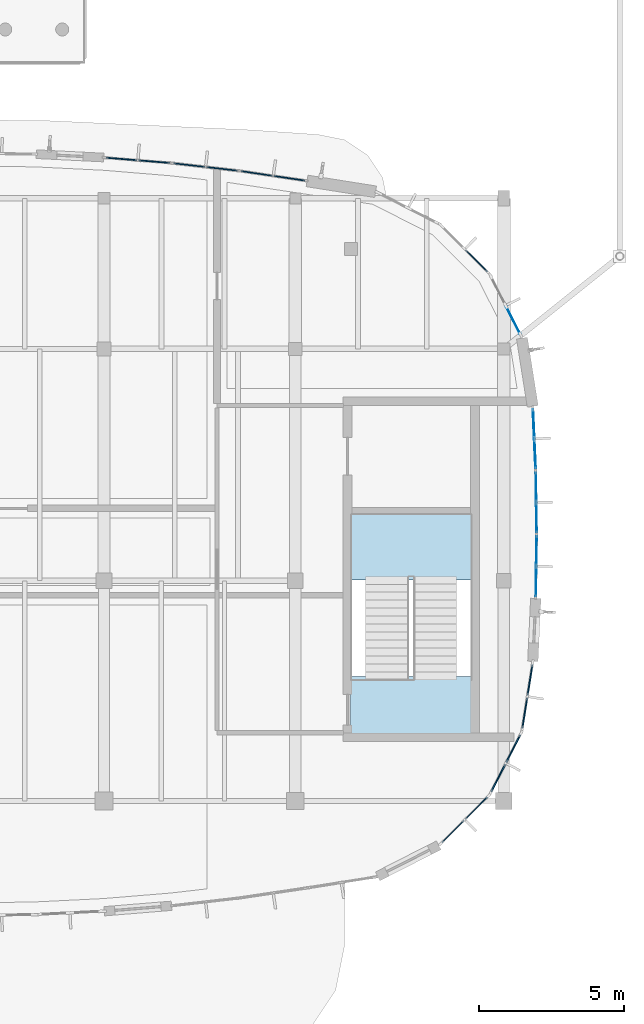
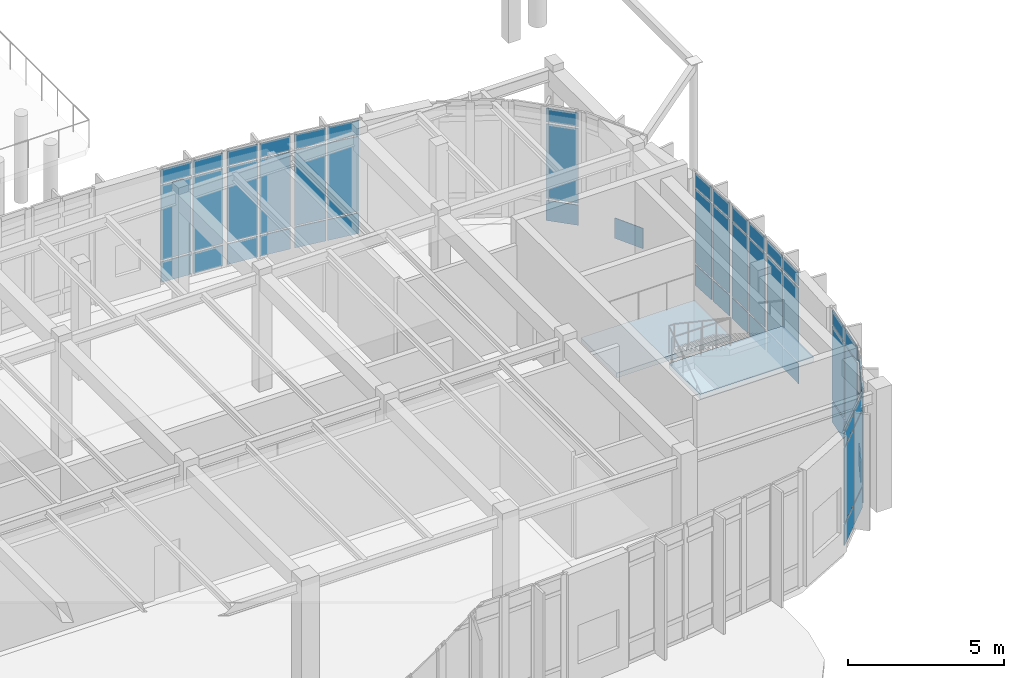
# One storey, part 72 of 120: 58 plates, 2 slabs, 12 elements without a shape of their own.
"""IFC4 building model written with IfcOpenShell, lengths in metres."""

import ifcopenshell
import ifcopenshell.guid

model = None  # the IFC model being written
_history = None  # IfcOwnerHistory: only IFC2X3 demands one
_inside = {}  # id of a spatial element -> (the spatial element, [elements in it])
_under = {}  # id of a project, library or spatial element -> (it, [spatial elements below it])
_declared = {}  # id of a project -> (the project, [libraries it declares])
_typed = {}  # id of a type object -> (the type object, [elements of that type])
_made_of = {}  # id of a material, layer set ... -> (it, [elements and type objects made of it])


def new_model(schema):
    """Start an empty IFC model of exactly this schema.

    Asked for "IFC4X3", IfcOpenShell would pick the latest addendum, in which some entities
    have other attributes; the version numbers below select the first issue.
    IFC2X3 requires an IfcOwnerHistory on every rooted entity: one is made here for all.
    """
    global model, _history
    if schema == "IFC4X3":
        model = ifcopenshell.file(schema_version=(4, 3, 0, 0))
    else:
        model = ifcopenshell.file(schema=schema)
    _inside.clear()
    _under.clear()
    _declared.clear()
    _typed.clear()
    _made_of.clear()
    _history = None
    if model.schema == "IFC2X3":
        org = make("IfcOrganization", Name="unknown")
        user = make(
            "IfcPersonAndOrganization",
            ThePerson=make("IfcPerson", FamilyName="unknown"),
            TheOrganization=org,
        )
        app = make(
            "IfcApplication",
            ApplicationDeveloper=org,
            Version="unknown",
            ApplicationFullName="unknown",
            ApplicationIdentifier="unknown",
        )
        _history = make(
            "IfcOwnerHistory",
            OwningUser=user,
            OwningApplication=app,
            ChangeAction="ADDED",
            CreationDate=0,
        )
    return model


def make(cls, **values):
    """One entity of the class cls with the attributes given. An attribute that is None is left unset."""
    return model.create_entity(
        cls, **{name: value for name, value in values.items() if value is not None}
    )


def rooted(cls, **values):
    """An entity with a GlobalId (a new one), such as an element, a storey or a relation."""
    return make(cls, GlobalId=ifcopenshell.guid.new(), OwnerHistory=_history, **values)


def si_unit(unit_type, name, prefix=None):
    """IfcSIUnit, for example si_unit("LENGTHUNIT", "METRE", prefix="MILLI")."""
    return make("IfcSIUnit", UnitType=unit_type, Prefix=prefix, Name=name)


def assignment(units):
    """IfcUnitAssignment: the units of a project."""
    return None if units is None else make("IfcUnitAssignment", Units=units)


def point(xyz):
    """IfcCartesianPoint."""
    return None if xyz is None else make("IfcCartesianPoint", Coordinates=xyz)


def direction(xyz):
    """IfcDirection."""
    return None if xyz is None else make("IfcDirection", DirectionRatios=xyz)


def frame(location, z_axis=None, x_axis=None):
    """IfcAxis2Placement3D, a coordinate frame: its origin and axes. An axis left out is left unset."""
    return make(
        "IfcAxis2Placement3D",
        Location=point(location),
        Axis=direction(z_axis),
        RefDirection=direction(x_axis),
    )


def frame_2d(location, x_axis=None):
    """IfcAxis2Placement2D, a coordinate frame in the plane: its origin and x axis."""
    return make(
        "IfcAxis2Placement2D", Location=point(location), RefDirection=direction(x_axis)
    )


def origin():
    """The frame at (0, 0, 0) with its axes left unset."""
    return frame((0.0, 0.0, 0.0))


def origin_2d():
    """The frame at (0, 0) in the plane with its x axis left unset."""
    return frame_2d((0.0, 0.0))


def place(relative_to, where):
    """IfcLocalPlacement: puts the frame where relative to a parent placement (None: the world)."""
    return make(
        "IfcLocalPlacement", PlacementRelTo=relative_to, RelativePlacement=where
    )


def context(
    kind, dimensions, precision=None, world=None, true_north=None, identifier=None
):
    """IfcGeometricRepresentationContext, for example the 3D "Model" context."""
    return make(
        "IfcGeometricRepresentationContext",
        ContextIdentifier=identifier,
        ContextType=kind,
        CoordinateSpaceDimension=dimensions,
        Precision=precision,
        WorldCoordinateSystem=world,
        TrueNorth=true_north,
    )


def subcontext(parent, identifier, kind, view, scale=None):
    """IfcGeometricRepresentationSubContext, for example "Body" below "Model"."""
    return make(
        "IfcGeometricRepresentationSubContext",
        ContextIdentifier=identifier,
        ContextType=kind,
        ParentContext=parent,
        TargetScale=scale,
        TargetView=view,
    )


def project(units=None, contexts=None):
    """IfcProject with its units and contexts."""
    return rooted(
        "IfcProject",
        Name="project",
        RepresentationContexts=contexts,
        UnitsInContext=assignment(units),
    )


def spatial(cls, under=None, at=None, **own):
    """A site, building, storey or space (cls), placed at a placement, below another one or the project."""
    s = rooted(cls, ObjectPlacement=at, **own)
    if under is not None:
        _under.setdefault(under.id(), (under, []))[1].append(s)
    return s


def polyline(points):
    """IfcPolyline through the points."""
    return make("IfcPolyline", Points=[point(p) for p in points])


def profile(cls, at=None, kind="AREA", **sizes):
    """A parametric profile (cls). Its sizes go by their IFC names, for example OverallWidth=200.0."""
    return make(cls, ProfileType=kind, Position=at, **sizes)


def rectangle(**sizes):
    """IfcRectangleProfileDef."""
    return profile("IfcRectangleProfileDef", **sizes)


def outline(outer, holes=None, kind="AREA"):
    """IfcArbitraryClosedProfileDef: a profile drawn as a closed curve; with holes, ...WithVoids."""
    if holes is None:
        return make("IfcArbitraryClosedProfileDef", ProfileType=kind, OuterCurve=outer)
    return make(
        "IfcArbitraryProfileDefWithVoids",
        ProfileType=kind,
        OuterCurve=outer,
        InnerCurves=holes,
    )


def extrude(swept, where, along, depth):
    """IfcExtrudedAreaSolid: the profile swept, set in the frame where, extruded along a direction by depth."""
    return make(
        "IfcExtrudedAreaSolid",
        SweptArea=swept,
        Position=where,
        ExtrudedDirection=direction(along),
        Depth=depth,
    )


def shape(context_of_items, identifier, shape_type, items):
    """IfcShapeRepresentation: the items that make up one representation, for example the "Body"."""
    return make(
        "IfcShapeRepresentation",
        ContextOfItems=context_of_items,
        RepresentationIdentifier=identifier,
        RepresentationType=shape_type,
        Items=items,
    )


def material(Name=None, Category=None):
    """IfcMaterial."""
    return make("IfcMaterial", Name=Name, Category=Category)


def layer(
    of_material, thickness, ventilated=None, Name=None, Category=None, Priority=None
):
    """IfcMaterialLayer: one layer of a wall or slab, of a material (None: an air gap)."""
    return make(
        "IfcMaterialLayer",
        Material=of_material,
        LayerThickness=thickness,
        IsVentilated=ventilated,
        Name=Name,
        Category=Category,
        Priority=Priority,
    )


def layer_set(layers, Name=None):
    """IfcMaterialLayerSet."""
    return make("IfcMaterialLayerSet", MaterialLayers=layers, LayerSetName=Name)


def made_of(thing, what):
    """Note that an element or type object is made of a material, layer set ...; save() writes the relation."""
    if what is not None:
        _made_of.setdefault(what.id(), (what, []))[1].append(thing)
    return thing


def type_object(cls, material=None, **own):
    """A type object (cls), such as IfcWallType, which elements share."""
    return made_of(rooted(cls, **own), material)


def element(
    cls,
    number,
    at=None,
    inside=None,
    cuts=None,
    type_object=None,
    material=None,
    context=None,
    identifier="Body",
    shape_type=None,
    held_by="IfcProductDefinitionShape",
    body=None,
    shapes=None,
    **own,
):
    """One element of the class cls, such as IfcWall. Its Tag is "e" and its number.

    at: its placement. inside: the storey or other place that contains it. cuts: it is an
    opening in that element (IfcRelVoidsElement). A single representation is given by context,
    identifier, shape_type and body (its items); several are given by shapes. held_by: the class
    of the entity that holds the representations. save() writes the other relations.
    """
    e = rooted(cls, Tag="e%d" % number, ObjectPlacement=at, **own)
    if body is not None:
        shapes = [shape(context, identifier, shape_type, body)]
    if shapes is not None:
        e.Representation = make(held_by, Representations=shapes)
    if inside is not None:
        _inside.setdefault(inside.id(), (inside, []))[1].append(e)
    if cuts is not None:
        rooted(
            "IfcRelVoidsElement", RelatingBuildingElement=cuts, RelatedOpeningElement=e
        )
    if type_object is not None:
        _typed.setdefault(type_object.id(), (type_object, []))[1].append(e)
    return made_of(e, material)


def aggregate(whole, parts):
    """IfcRelAggregates: a whole, such as a stair, and the parts it consists of."""
    return rooted("IfcRelAggregates", RelatingObject=whole, RelatedObjects=parts)


def save(model, path):
    """Write the relations noted so far, then the file.

    IfcRelAggregates (storeys below a building ...), IfcRelContainedInSpatialStructure (elements
    in a storey), IfcRelDefinesByType, IfcRelAssociatesMaterial and IfcRelDeclares: one each for
    every whole, place, type object, material and project.
    """
    for whole, parts in _under.values():
        aggregate(whole, parts)
    for where, things in _inside.values():
        rooted(
            "IfcRelContainedInSpatialStructure",
            RelatedElements=things,
            RelatingStructure=where,
        )
    for kind, things in _typed.values():
        rooted("IfcRelDefinesByType", RelatedObjects=things, RelatingType=kind)
    for what, things in _made_of.values():
        rooted("IfcRelAssociatesMaterial", RelatedObjects=things, RelatingMaterial=what)
    for by, libraries in _declared.values():
        rooted("IfcRelDeclares", RelatingContext=by, RelatedDefinitions=libraries)
    model.write(path)


model = new_model("IFC4")

# Units and contexts
model_context = context("Model", 3, precision=1e-05, world=origin(), true_north=direction((0.0, 1.0)))
body_context = subcontext(model_context, "Body", "Model", "MODEL_VIEW")
ifc_project = project(units=[si_unit("LENGTHUNIT", "METRE"), si_unit("AREAUNIT", "SQUARE_METRE"), si_unit("VOLUMEUNIT", "CUBIC_METRE"), si_unit("PLANEANGLEUNIT", "RADIAN"), si_unit("MASSUNIT", "GRAM", prefix="KILO")], contexts=[model_context])

# Site, building, storey
site_placement = place(None, origin())
site = spatial("IfcSite", under=ifc_project, at=site_placement, CompositionType="ELEMENT")
building_placement = place(site_placement, origin())
building = spatial("IfcBuilding", under=site, at=building_placement, Name="Corveleigh Park Community Centre", CompositionType="ELEMENT")
storey_placement = place(building_placement, origin())
storey = spatial("IfcBuildingStorey", under=building, at=storey_placement, Name="L00", CompositionType="ELEMENT", Elevation=0.0)

# Curtain wall, plates
ifc_material_1 = material(Name="Anodised aluminium 6063-T6", Category="aluminium")
curtain_wall_type = type_object("IfcCurtainWallType", Name="CW-SYS-V3-L00", PredefinedType="NOTDEFINED", material=ifc_material_1)
curtain_wall_1_placement = place(storey_placement, origin())
curtain_wall_1 = element("IfcCurtainWall", 1, at=curtain_wall_1_placement, inside=storey, type_object=curtain_wall_type, Name="V3 L00 Curtain Wall 85", PredefinedType="NOTDEFINED")
ifc_material_2 = material(Name="Low-E double glazing", Category="glass")
ifc_layer_1 = layer(ifc_material_2, 0.02392578125, Name="Low-E double glazing", Category="glass")
ifc_layer_set_1 = layer_set([ifc_layer_1], Name="Low-E double glazing")
plate_type_1 = type_object("IfcPlateType", Name="CWP-GLZ-24", PredefinedType="CURTAIN_PANEL", material=ifc_layer_set_1)
plate_1_placement = place(storey_placement, frame((109.12548828125, 19.830322265625, 0.080078125), z_axis=(0.0, 0.0, 1.0), x_axis=(-0.015115084786, -0.999885760581, 0.0)))
plate_1 = element("IfcPlate", 2, at=plate_1_placement, type_object=plate_type_1, Name="CW05 panel 1.1", PredefinedType="CURTAIN_PANEL", context=body_context, shape_type="SweptSolid", body=[
    extrude(rectangle(XDim=1.001708984375, YDim=0.02392578125, at=origin_2d()), origin(), (0.0, 0.0, 1.0), 0.780029296875),
])
plate_2_placement = place(storey_placement, frame((109.12548828125, 19.830322265625, 0.93994140625), z_axis=(0.0, 0.0, 1.0), x_axis=(-0.015115084786, -0.999885760581, 0.0)))
plate_2 = element("IfcPlate", 3, at=plate_2_placement, type_object=plate_type_1, Name="CW05 panel 1.2", PredefinedType="CURTAIN_PANEL", context=body_context, shape_type="SweptSolid", body=[
    extrude(rectangle(XDim=1.001708984375, YDim=0.02392578125, at=origin_2d()), origin(), (0.0, 0.0, 1.0), 2.882080078125),
])
plate_3_placement = place(storey_placement, frame((109.12548828125, 19.830322265625, 3.90185546875), z_axis=(0.0, 0.0, 1.0), x_axis=(-0.015115084786, -0.999885760581, 0.0)))
plate_3 = element("IfcPlate", 4, at=plate_3_placement, type_object=plate_type_1, Name="CW05 panel 1.3", PredefinedType="CURTAIN_PANEL", context=body_context, shape_type="SweptSolid", body=[
    extrude(rectangle(XDim=1.001708984375, YDim=0.02392578125, at=origin_2d()), origin(), (0.0, 0.0, 1.0), 0.530029296875),
])
plate_4_placement = place(storey_placement, frame((109.109375, 18.768798828125, 0.080078125), z_axis=(0.0, 0.0, 1.0), x_axis=(-0.015115084786, -0.999885760581, 0.0)))
plate_4 = element("IfcPlate", 5, at=plate_4_placement, type_object=plate_type_1, Name="CW05 panel 2.1", PredefinedType="CURTAIN_PANEL", context=body_context, shape_type="SweptSolid", body=[
    extrude(rectangle(XDim=1.001708984375, YDim=0.02392578125, at=origin_2d()), origin(), (0.0, 0.0, 1.0), 0.780029296875),
])
plate_5_placement = place(storey_placement, frame((109.109375, 18.768798828125, 0.93994140625), z_axis=(0.0, 0.0, 1.0), x_axis=(-0.015115084786, -0.999885760581, 0.0)))
plate_5 = element("IfcPlate", 6, at=plate_5_placement, type_object=plate_type_1, Name="CW05 panel 2.2", PredefinedType="CURTAIN_PANEL", context=body_context, shape_type="SweptSolid", body=[
    extrude(rectangle(XDim=1.001708984375, YDim=0.02392578125, at=origin_2d()), origin(), (0.0, 0.0, 1.0), 2.882080078125),
])
plate_6_placement = place(storey_placement, frame((109.109375, 18.768798828125, 3.90185546875), z_axis=(0.0, 0.0, 1.0), x_axis=(-0.015115084786, -0.999885760581, 0.0)))
plate_6 = element("IfcPlate", 7, at=plate_6_placement, type_object=plate_type_1, Name="CW05 panel 2.3", PredefinedType="CURTAIN_PANEL", context=body_context, shape_type="SweptSolid", body=[
    extrude(rectangle(XDim=1.001708984375, YDim=0.02392578125, at=origin_2d()), origin(), (0.0, 0.0, 1.0), 0.530029296875),
])
aggregate(curtain_wall_1, [plate_1, plate_2, plate_3, plate_4, plate_5, plate_6])

curtain_wall_2_placement = place(storey_placement, origin())
curtain_wall_2 = element("IfcCurtainWall", 8, at=curtain_wall_2_placement, inside=storey, type_object=curtain_wall_type, Name="V3 L00 Curtain Wall 86", PredefinedType="NOTDEFINED")
plate_7_placement = place(storey_placement, frame((109.109375, 22.030029296875, 0.06005859375), z_axis=(0.0, 0.0, 1.0), x_axis=(0.015115084786, -0.999885760581, 0.0)))
plate_7 = element("IfcPlate", 9, at=plate_7_placement, type_object=plate_type_1, Name="CW05 panel 1.1", PredefinedType="CURTAIN_PANEL", context=body_context, shape_type="SweptSolid", body=[
    extrude(rectangle(XDim=0.994140625, YDim=0.02392578125, at=origin_2d()), origin(), (0.0, 0.0, 1.0), 0.81005859375),
])
plate_8_placement = place(storey_placement, frame((109.109375, 22.030029296875, 0.93017578125), z_axis=(0.0, 0.0, 1.0), x_axis=(0.015115084786, -0.999885760581, 0.0)))
plate_8 = element("IfcPlate", 10, at=plate_8_placement, type_object=plate_type_1, Name="CW05 panel 1.2", PredefinedType="CURTAIN_PANEL", context=body_context, shape_type="SweptSolid", body=[
    extrude(rectangle(XDim=0.994140625, YDim=0.02392578125, at=origin_2d()), origin(), (0.0, 0.0, 1.0), 2.902099609375),
])
plate_9_placement = place(storey_placement, frame((109.109375, 22.030029296875, 3.89208984375), z_axis=(0.0, 0.0, 1.0), x_axis=(0.015115084786, -0.999885760581, 0.0)))
plate_9 = element("IfcPlate", 11, at=plate_9_placement, type_object=plate_type_1, Name="CW05 panel 1.3", PredefinedType="CURTAIN_PANEL", context=body_context, shape_type="SweptSolid", body=[
    extrude(rectangle(XDim=0.994140625, YDim=0.02392578125, at=origin_2d()), origin(), (0.0, 0.0, 1.0), 0.56005859375),
])
plate_10_placement = place(storey_placement, frame((109.12548828125, 20.970947265625, 0.06005859375), z_axis=(0.0, 0.0, 1.0), x_axis=(0.015115084786, -0.999885760581, 0.0)))
plate_10 = element("IfcPlate", 12, at=plate_10_placement, type_object=plate_type_1, Name="CW05 panel 2.1", PredefinedType="CURTAIN_PANEL", context=body_context, shape_type="SweptSolid", body=[
    extrude(rectangle(XDim=0.994140625, YDim=0.02392578125, at=origin_2d()), origin(), (0.0, 0.0, 1.0), 0.81005859375),
])
plate_11_placement = place(storey_placement, frame((109.12548828125, 20.970947265625, 0.93017578125), z_axis=(0.0, 0.0, 1.0), x_axis=(0.015115084786, -0.999885760581, 0.0)))
plate_11 = element("IfcPlate", 13, at=plate_11_placement, type_object=plate_type_1, Name="CW05 panel 2.2", PredefinedType="CURTAIN_PANEL", context=body_context, shape_type="SweptSolid", body=[
    extrude(rectangle(XDim=0.994140625, YDim=0.02392578125, at=origin_2d()), origin(), (0.0, 0.0, 1.0), 2.902099609375),
])
plate_12_placement = place(storey_placement, frame((109.12548828125, 20.970947265625, 3.89208984375), z_axis=(0.0, 0.0, 1.0), x_axis=(0.015115084786, -0.999885760581, 0.0)))
plate_12 = element("IfcPlate", 14, at=plate_12_placement, type_object=plate_type_1, Name="CW05 panel 2.3", PredefinedType="CURTAIN_PANEL", context=body_context, shape_type="SweptSolid", body=[
    extrude(rectangle(XDim=0.994140625, YDim=0.02392578125, at=origin_2d()), origin(), (0.0, 0.0, 1.0), 0.56005859375),
])
aggregate(curtain_wall_2, [plate_7, plate_8, plate_9, plate_10, plate_11, plate_12])

curtain_wall_3_placement = place(storey_placement, origin())
curtain_wall_3 = element("IfcCurtainWall", 15, at=curtain_wall_3_placement, inside=storey, type_object=curtain_wall_type, Name="V3 L00 Curtain Wall 87", PredefinedType="NOTDEFINED")
ifc_layer_2 = layer(ifc_material_2, 0.028076171875, Name="Low-E double glazing", Category="glass")
ifc_layer_set_2 = layer_set([ifc_layer_2], Name="Low-E double glazing")
plate_type_2 = type_object("IfcPlateType", Name="CWP-GLZ-28", PredefinedType="CURTAIN_PANEL", material=ifc_layer_set_2)
plate_13_placement = place(storey_placement, frame((109.02685546875, 24.22216796875, 0.06494140625), z_axis=(0.0, 0.0, 1.0), x_axis=(0.045970676011, -0.998942789627, 0.0)))
plate_13 = element("IfcPlate", 16, at=plate_13_placement, type_object=plate_type_2, Name="CW05 panel 1.1", PredefinedType="CURTAIN_PANEL", context=body_context, shape_type="SweptSolid", body=[
    extrude(rectangle(XDim=0.982666015625, YDim=0.028076171875, at=origin_2d()), origin(), (0.0, 0.0, 1.0), 0.802490234375),
])
plate_14_placement = place(storey_placement, frame((109.02685546875, 24.22216796875, 0.9326171875), z_axis=(0.0, 0.0, 1.0), x_axis=(0.045970676011, -0.998942789627, 0.0)))
plate_14 = element("IfcPlate", 17, at=plate_14_placement, type_object=plate_type_2, Name="CW05 panel 1.2", PredefinedType="CURTAIN_PANEL", context=body_context, shape_type="SweptSolid", body=[
    extrude(rectangle(XDim=0.982666015625, YDim=0.028076171875, at=origin_2d()), origin(), (0.0, 0.0, 1.0), 2.89697265625),
])
plate_15_placement = place(storey_placement, frame((109.02685546875, 24.22216796875, 3.89453125), z_axis=(0.0, 0.0, 1.0), x_axis=(0.045970676011, -0.998942789627, 0.0)))
plate_15 = element("IfcPlate", 18, at=plate_15_placement, type_object=plate_type_2, Name="CW05 panel 1.3", PredefinedType="CURTAIN_PANEL", context=body_context, shape_type="SweptSolid", body=[
    extrude(rectangle(XDim=0.982666015625, YDim=0.028076171875, at=origin_2d()), origin(), (0.0, 0.0, 1.0), 0.552490234375),
])
plate_16_placement = place(storey_placement, frame((109.0751953125, 23.170654296875, 0.06494140625), z_axis=(0.0, 0.0, 1.0), x_axis=(0.045970676011, -0.998942789627, 0.0)))
plate_16 = element("IfcPlate", 19, at=plate_16_placement, type_object=plate_type_2, Name="CW05 panel 2.1", PredefinedType="CURTAIN_PANEL", context=body_context, shape_type="SweptSolid", body=[
    extrude(rectangle(XDim=0.982666015625, YDim=0.028076171875, at=origin_2d()), origin(), (0.0, 0.0, 1.0), 0.802490234375),
])
plate_17_placement = place(storey_placement, frame((109.0751953125, 23.170654296875, 0.9326171875), z_axis=(0.0, 0.0, 1.0), x_axis=(0.045970676011, -0.998942789627, 0.0)))
plate_17 = element("IfcPlate", 20, at=plate_17_placement, type_object=plate_type_2, Name="CW05 panel 2.2", PredefinedType="CURTAIN_PANEL", context=body_context, shape_type="SweptSolid", body=[
    extrude(rectangle(XDim=0.982666015625, YDim=0.028076171875, at=origin_2d()), origin(), (0.0, 0.0, 1.0), 2.89697265625),
])
plate_18_placement = place(storey_placement, frame((109.0751953125, 23.170654296875, 3.89453125), z_axis=(0.0, 0.0, 1.0), x_axis=(0.045970676011, -0.998942789627, 0.0)))
plate_18 = element("IfcPlate", 21, at=plate_18_placement, type_object=plate_type_2, Name="CW05 panel 2.3", PredefinedType="CURTAIN_PANEL", context=body_context, shape_type="SweptSolid", body=[
    extrude(rectangle(XDim=0.982666015625, YDim=0.028076171875, at=origin_2d()), origin(), (0.0, 0.0, 1.0), 0.552490234375),
])
aggregate(curtain_wall_3, [plate_13, plate_14, plate_15, plate_16, plate_17, plate_18])

# Curtain wall, plate
curtain_wall_4_placement = place(storey_placement, origin())
curtain_wall_4 = element("IfcCurtainWall", 22, at=curtain_wall_4_placement, inside=storey, type_object=curtain_wall_type, Name="V3 L00 Curtain Wall 88", PredefinedType="NOTDEFINED")
plate_19_placement = place(storey_placement, frame((108.323974609375, 27.787353515625, 0.070068359375), z_axis=(0.0, 0.0, 1.0), x_axis=(0.45413480079, -0.890932984411, 0.0)))
plate_19 = element("IfcPlate", 23, at=plate_19_placement, type_object=plate_type_2, Name="CW05 panel 2.1", PredefinedType="CURTAIN_PANEL", context=body_context, shape_type="SweptSolid", body=[
    extrude(rectangle(XDim=1.070068359375, YDim=0.028076171875, at=origin_2d()), origin(), (0.0, 0.0, 1.0), 0.794921875),
])
aggregate(curtain_wall_4, [plate_19])

# Curtain wall, plates
curtain_wall_5_placement = place(storey_placement, origin())
curtain_wall_5 = element("IfcCurtainWall", 24, at=curtain_wall_5_placement, inside=storey, type_object=curtain_wall_type, Name="V3 L00 Curtain Wall 89", PredefinedType="NOTDEFINED")
ifc_layer_3 = layer(ifc_material_2, 0.031982421875, Name="Low-E double glazing", Category="glass")
ifc_layer_set_3 = layer_set([ifc_layer_3], Name="Low-E double glazing")
plate_type_3 = type_object("IfcPlateType", Name="CWP-GLZ-32", PredefinedType="CURTAIN_PANEL", material=ifc_layer_set_3)
plate_20_placement = place(storey_placement, frame((107.051025390625, 29.843994140625, 0.074951171875), z_axis=(0.0, 0.0, 1.0), x_axis=(0.707106781187, -0.707106781187, 0.0)))
plate_20 = element("IfcPlate", 25, at=plate_20_placement, type_object=plate_type_3, Name="CW05 panel 2.1", PredefinedType="CURTAIN_PANEL", context=body_context, shape_type="SweptSolid", body=[
    extrude(rectangle(XDim=1.0615234375, YDim=0.031982421875, at=origin_2d()), origin(), (0.0, 0.0, 1.0), 0.78759765625),
])
plate_21_placement = place(storey_placement, frame((107.051025390625, 29.843994140625, 0.9375), z_axis=(0.0, 0.0, 1.0), x_axis=(0.707106781187, -0.707106781187, 0.0)))
plate_21 = element("IfcPlate", 26, at=plate_21_placement, type_object=plate_type_3, Name="CW05 panel 2.2", PredefinedType="CURTAIN_PANEL", context=body_context, shape_type="SweptSolid", body=[
    extrude(rectangle(XDim=1.0615234375, YDim=0.031982421875, at=origin_2d()), origin(), (0.0, 0.0, 1.0), 2.912109375),
])
plate_22_placement = place(storey_placement, frame((107.051025390625, 29.843994140625, 3.924560546875), z_axis=(0.0, 0.0, 1.0), x_axis=(0.707106781187, -0.707106781187, 0.0)))
plate_22 = element("IfcPlate", 27, at=plate_22_placement, type_object=plate_type_3, Name="CW05 panel 2.3", PredefinedType="CURTAIN_PANEL", context=body_context, shape_type="SweptSolid", body=[
    extrude(rectangle(XDim=1.0615234375, YDim=0.031982421875, at=origin_2d()), origin(), (0.0, 0.0, 1.0), 0.53759765625),
])
aggregate(curtain_wall_5, [plate_20, plate_21, plate_22])

curtain_wall_6_placement = place(storey_placement, origin())
curtain_wall_6 = element("IfcCurtainWall", 28, at=curtain_wall_6_placement, inside=storey, type_object=curtain_wall_type, Name="V3 L00 Curtain Wall 91", PredefinedType="NOTDEFINED")
ifc_layer_4 = layer(ifc_material_2, 0.035888671875, Name="Low-E double glazing", Category="glass")
ifc_layer_set_4 = layer_set([ifc_layer_4], Name="Low-E double glazing")
plate_type_4 = type_object("IfcPlateType", Name="CWP-GLZ-36", PredefinedType="CURTAIN_PANEL", material=ifc_layer_set_4)
plate_23_placement = place(storey_placement, frame((99.47607421875, 32.85595703125, 0.06005859375), z_axis=(0.0, 0.0, 1.0), x_axis=(0.989145884579, -0.146936785797, 0.0)))
plate_23 = element("IfcPlate", 29, at=plate_23_placement, type_object=plate_type_4, Name="CW05 panel 1.1", PredefinedType="CURTAIN_PANEL", context=body_context, shape_type="SweptSolid", body=[
    extrude(rectangle(XDim=1.0771484375, YDim=0.035888671875, at=origin_2d()), origin(), (0.0, 0.0, 1.0), 0.81005859375),
])
plate_24_placement = place(storey_placement, frame((99.47607421875, 32.85595703125, 0.93017578125), z_axis=(0.0, 0.0, 1.0), x_axis=(0.989145884579, -0.146936785797, 0.0)))
plate_24 = element("IfcPlate", 30, at=plate_24_placement, type_object=plate_type_4, Name="CW05 panel 1.2", PredefinedType="CURTAIN_PANEL", context=body_context, shape_type="SweptSolid", body=[
    extrude(rectangle(XDim=1.0771484375, YDim=0.035888671875, at=origin_2d()), origin(), (0.0, 0.0, 1.0), 2.927001953125),
])
plate_25_placement = place(storey_placement, frame((99.47607421875, 32.85595703125, 3.9169921875), z_axis=(0.0, 0.0, 1.0), x_axis=(0.989145884579, -0.146936785797, 0.0)))
plate_25 = element("IfcPlate", 31, at=plate_25_placement, type_object=plate_type_4, Name="CW05 panel 1.3", PredefinedType="CURTAIN_PANEL", context=body_context, shape_type="SweptSolid", body=[
    extrude(rectangle(XDim=1.0771484375, YDim=0.035888671875, at=origin_2d()), origin(), (0.0, 0.0, 1.0), 0.56005859375),
])
plate_26_placement = place(storey_placement, frame((100.600830078125, 32.68896484375, 0.06005859375), z_axis=(0.0, 0.0, 1.0), x_axis=(0.989145884579, -0.146936785797, 0.0)))
plate_26 = element("IfcPlate", 32, at=plate_26_placement, type_object=plate_type_4, Name="CW05 panel 2.1", PredefinedType="CURTAIN_PANEL", context=body_context, shape_type="SweptSolid", body=[
    extrude(rectangle(XDim=1.0771484375, YDim=0.035888671875, at=origin_2d()), origin(), (0.0, 0.0, 1.0), 0.81005859375),
])
plate_27_placement = place(storey_placement, frame((100.600830078125, 32.68896484375, 0.93017578125), z_axis=(0.0, 0.0, 1.0), x_axis=(0.989145884579, -0.146936785797, 0.0)))
plate_27 = element("IfcPlate", 33, at=plate_27_placement, type_object=plate_type_4, Name="CW05 panel 2.2", PredefinedType="CURTAIN_PANEL", context=body_context, shape_type="SweptSolid", body=[
    extrude(rectangle(XDim=1.0771484375, YDim=0.035888671875, at=origin_2d()), origin(), (0.0, 0.0, 1.0), 2.927001953125),
])
plate_28_placement = place(storey_placement, frame((100.600830078125, 32.68896484375, 3.9169921875), z_axis=(0.0, 0.0, 1.0), x_axis=(0.989145884579, -0.146936785797, 0.0)))
plate_28 = element("IfcPlate", 34, at=plate_28_placement, type_object=plate_type_4, Name="CW05 panel 2.3", PredefinedType="CURTAIN_PANEL", context=body_context, shape_type="SweptSolid", body=[
    extrude(rectangle(XDim=1.0771484375, YDim=0.035888671875, at=origin_2d()), origin(), (0.0, 0.0, 1.0), 0.56005859375),
])
aggregate(curtain_wall_6, [plate_23, plate_24, plate_25, plate_26, plate_27, plate_28])

curtain_wall_7_placement = place(storey_placement, origin())
curtain_wall_7 = element("IfcCurtainWall", 35, at=curtain_wall_7_placement, inside=storey, type_object=curtain_wall_type, Name="V3 L00 Curtain Wall 92", PredefinedType="NOTDEFINED")
plate_29_placement = place(storey_placement, frame((97.144287109375, 33.144287109375, 0.06494140625), z_axis=(0.0, 0.0, 1.0), x_axis=(0.993425824915, -0.114477641449, 0.0)))
plate_29 = element("IfcPlate", 36, at=plate_29_placement, type_object=plate_type_4, Name="CW05 panel 1.1", PredefinedType="CURTAIN_PANEL", context=body_context, shape_type="SweptSolid", body=[
    extrude(rectangle(XDim=1.068603515625, YDim=0.035888671875, at=origin_2d()), origin(), (0.0, 0.0, 1.0), 0.802490234375),
])
plate_30_placement = place(storey_placement, frame((97.144287109375, 33.144287109375, 0.9326171875), z_axis=(0.0, 0.0, 1.0), x_axis=(0.993425824915, -0.114477641449, 0.0)))
plate_30 = element("IfcPlate", 37, at=plate_30_placement, type_object=plate_type_4, Name="CW05 panel 1.2", PredefinedType="CURTAIN_PANEL", context=body_context, shape_type="SweptSolid", body=[
    extrude(rectangle(XDim=1.068603515625, YDim=0.035888671875, at=origin_2d()), origin(), (0.0, 0.0, 1.0), 2.922119140625),
])
plate_31_placement = place(storey_placement, frame((97.144287109375, 33.144287109375, 3.91943359375), z_axis=(0.0, 0.0, 1.0), x_axis=(0.993425824915, -0.114477641449, 0.0)))
plate_31 = element("IfcPlate", 38, at=plate_31_placement, type_object=plate_type_4, Name="CW05 panel 1.3", PredefinedType="CURTAIN_PANEL", context=body_context, shape_type="SweptSolid", body=[
    extrude(rectangle(XDim=1.068603515625, YDim=0.035888671875, at=origin_2d()), origin(), (0.0, 0.0, 1.0), 0.552490234375),
])
plate_32_placement = place(storey_placement, frame((98.2705078125, 33.0146484375, 0.06494140625), z_axis=(0.0, 0.0, 1.0), x_axis=(0.993425824915, -0.114477641449, 0.0)))
plate_32 = element("IfcPlate", 39, at=plate_32_placement, type_object=plate_type_4, Name="CW05 panel 2.1", PredefinedType="CURTAIN_PANEL", context=body_context, shape_type="SweptSolid", body=[
    extrude(rectangle(XDim=1.068603515625, YDim=0.035888671875, at=origin_2d()), origin(), (0.0, 0.0, 1.0), 0.802490234375),
])
plate_33_placement = place(storey_placement, frame((98.2705078125, 33.0146484375, 0.9326171875), z_axis=(0.0, 0.0, 1.0), x_axis=(0.993425824915, -0.114477641449, 0.0)))
plate_33 = element("IfcPlate", 40, at=plate_33_placement, type_object=plate_type_4, Name="CW05 panel 2.2", PredefinedType="CURTAIN_PANEL", context=body_context, shape_type="SweptSolid", body=[
    extrude(rectangle(XDim=1.068603515625, YDim=0.035888671875, at=origin_2d()), origin(), (0.0, 0.0, 1.0), 2.922119140625),
])
plate_34_placement = place(storey_placement, frame((98.2705078125, 33.0146484375, 3.91943359375), z_axis=(0.0, 0.0, 1.0), x_axis=(0.993425824915, -0.114477641449, 0.0)))
plate_34 = element("IfcPlate", 41, at=plate_34_placement, type_object=plate_type_4, Name="CW05 panel 2.3", PredefinedType="CURTAIN_PANEL", context=body_context, shape_type="SweptSolid", body=[
    extrude(rectangle(XDim=1.068603515625, YDim=0.035888671875, at=origin_2d()), origin(), (0.0, 0.0, 1.0), 0.552490234375),
])
aggregate(curtain_wall_7, [plate_29, plate_30, plate_31, plate_32, plate_33, plate_34])

curtain_wall_8_placement = place(storey_placement, origin())
curtain_wall_8 = element("IfcCurtainWall", 42, at=curtain_wall_8_placement, inside=storey, type_object=curtain_wall_type, Name="V3 L00 Curtain Wall 82", PredefinedType="NOTDEFINED")
ifc_layer_5 = layer(ifc_material_2, 0.0400390625, Name="Low-E double glazing", Category="glass")
ifc_layer_set_5 = layer_set([ifc_layer_5], Name="Low-E double glazing")
plate_type_5 = type_object("IfcPlateType", Name="CWP-GLZ-40", PredefinedType="CURTAIN_PANEL", material=ifc_layer_set_5)
plate_35_placement = place(storey_placement, frame((107.052001953125, 10.95703125, 0.06494140625), z_axis=(0.0, 0.0, 1.0), x_axis=(-0.707106781187, -0.707106781187, 0.0)))
plate_35 = element("IfcPlate", 43, at=plate_35_placement, type_object=plate_type_5, Name="CW05 panel 1.1", PredefinedType="CURTAIN_PANEL", context=body_context, shape_type="SweptSolid", body=[
    extrude(rectangle(XDim=1.069091796875, YDim=0.0400390625, at=origin_2d()), origin(), (0.0, 0.0, 1.0), 0.802490234375),
])
plate_36_placement = place(storey_placement, frame((107.052001953125, 10.95703125, 0.9326171875), z_axis=(0.0, 0.0, 1.0), x_axis=(-0.707106781187, -0.707106781187, 0.0)))
plate_36 = element("IfcPlate", 44, at=plate_36_placement, type_object=plate_type_5, Name="CW05 panel 1.2", PredefinedType="CURTAIN_PANEL", context=body_context, shape_type="SweptSolid", body=[
    extrude(rectangle(XDim=1.069091796875, YDim=0.0400390625, at=origin_2d()), origin(), (0.0, 0.0, 1.0), 2.927001953125),
])
plate_37_placement = place(storey_placement, frame((107.052001953125, 10.95703125, 3.92431640625), z_axis=(0.0, 0.0, 1.0), x_axis=(-0.707106781187, -0.707106781187, 0.0)))
plate_37 = element("IfcPlate", 45, at=plate_37_placement, type_object=plate_type_5, Name="CW05 panel 1.3", PredefinedType="CURTAIN_PANEL", context=body_context, shape_type="SweptSolid", body=[
    extrude(rectangle(XDim=1.069091796875, YDim=0.0400390625, at=origin_2d()), origin(), (0.0, 0.0, 1.0), 0.552490234375),
])
plate_38_placement = place(storey_placement, frame((106.242919921875, 10.14794921875, 0.06494140625), z_axis=(0.0, 0.0, 1.0), x_axis=(-0.707106781187, -0.707106781187, 0.0)))
plate_38 = element("IfcPlate", 46, at=plate_38_placement, type_object=plate_type_5, Name="CW05 panel 2.1", PredefinedType="CURTAIN_PANEL", context=body_context, shape_type="SweptSolid", body=[
    extrude(rectangle(XDim=1.069091796875, YDim=0.0400390625, at=origin_2d()), origin(), (0.0, 0.0, 1.0), 0.802490234375),
])
plate_39_placement = place(storey_placement, frame((106.242919921875, 10.14794921875, 0.9326171875), z_axis=(0.0, 0.0, 1.0), x_axis=(-0.707106781187, -0.707106781187, 0.0)))
plate_39 = element("IfcPlate", 47, at=plate_39_placement, type_object=plate_type_5, Name="CW05 panel 2.2", PredefinedType="CURTAIN_PANEL", context=body_context, shape_type="SweptSolid", body=[
    extrude(rectangle(XDim=1.069091796875, YDim=0.0400390625, at=origin_2d()), origin(), (0.0, 0.0, 1.0), 2.927001953125),
])
plate_40_placement = place(storey_placement, frame((106.242919921875, 10.14794921875, 3.92431640625), z_axis=(0.0, 0.0, 1.0), x_axis=(-0.707106781187, -0.707106781187, 0.0)))
plate_40 = element("IfcPlate", 48, at=plate_40_placement, type_object=plate_type_5, Name="CW05 panel 2.3", PredefinedType="CURTAIN_PANEL", context=body_context, shape_type="SweptSolid", body=[
    extrude(rectangle(XDim=1.069091796875, YDim=0.0400390625, at=origin_2d()), origin(), (0.0, 0.0, 1.0), 0.552490234375),
])
aggregate(curtain_wall_8, [plate_35, plate_36, plate_37, plate_38, plate_39, plate_40])

curtain_wall_9_placement = place(storey_placement, origin())
curtain_wall_9 = element("IfcCurtainWall", 49, at=curtain_wall_9_placement, inside=storey, type_object=curtain_wall_type, Name="V3 L00 Curtain Wall 93", PredefinedType="NOTDEFINED")
plate_41_placement = place(storey_placement, frame((94.805419921875, 33.35595703125, 0.070068359375), z_axis=(0.0, 0.0, 1.0), x_axis=(0.996674671999, -0.081483729643, 0.0)))
plate_41 = element("IfcPlate", 50, at=plate_41_placement, type_object=plate_type_5, Name="CW05 panel 1.1", PredefinedType="CURTAIN_PANEL", context=body_context, shape_type="SweptSolid", body=[
    extrude(rectangle(XDim=1.060791015625, YDim=0.0400390625, at=origin_2d()), origin(), (0.0, 0.0, 1.0), 0.794921875),
])
plate_42_placement = place(storey_placement, frame((94.805419921875, 33.35595703125, 0.93505859375), z_axis=(0.0, 0.0, 1.0), x_axis=(0.996674671999, -0.081483729643, 0.0)))
plate_42 = element("IfcPlate", 51, at=plate_42_placement, type_object=plate_type_5, Name="CW05 panel 1.2", PredefinedType="CURTAIN_PANEL", context=body_context, shape_type="SweptSolid", body=[
    extrude(rectangle(XDim=1.060791015625, YDim=0.0400390625, at=origin_2d()), origin(), (0.0, 0.0, 1.0), 2.9169921875),
])
plate_43_placement = place(storey_placement, frame((94.805419921875, 33.35595703125, 3.922119140625), z_axis=(0.0, 0.0, 1.0), x_axis=(0.996674671999, -0.081483729643, 0.0)))
plate_43 = element("IfcPlate", 52, at=plate_43_placement, type_object=plate_type_5, Name="CW05 panel 1.3", PredefinedType="CURTAIN_PANEL", context=body_context, shape_type="SweptSolid", body=[
    extrude(rectangle(XDim=1.060791015625, YDim=0.0400390625, at=origin_2d()), origin(), (0.0, 0.0, 1.0), 0.544921875),
])
plate_44_placement = place(storey_placement, frame((95.9326171875, 33.263916015625, 0.070068359375), z_axis=(0.0, 0.0, 1.0), x_axis=(0.996674671999, -0.081483729643, 0.0)))
plate_44 = element("IfcPlate", 53, at=plate_44_placement, type_object=plate_type_5, Name="CW05 panel 2.1", PredefinedType="CURTAIN_PANEL", context=body_context, shape_type="SweptSolid", body=[
    extrude(rectangle(XDim=1.060791015625, YDim=0.0400390625, at=origin_2d()), origin(), (0.0, 0.0, 1.0), 0.794921875),
])
plate_45_placement = place(storey_placement, frame((95.9326171875, 33.263916015625, 0.93505859375), z_axis=(0.0, 0.0, 1.0), x_axis=(0.996674671999, -0.081483729643, 0.0)))
plate_45 = element("IfcPlate", 54, at=plate_45_placement, type_object=plate_type_5, Name="CW05 panel 2.2", PredefinedType="CURTAIN_PANEL", context=body_context, shape_type="SweptSolid", body=[
    extrude(rectangle(XDim=1.060791015625, YDim=0.0400390625, at=origin_2d()), origin(), (0.0, 0.0, 1.0), 2.9169921875),
])
plate_46_placement = place(storey_placement, frame((95.9326171875, 33.263916015625, 3.922119140625), z_axis=(0.0, 0.0, 1.0), x_axis=(0.996674671999, -0.081483729643, 0.0)))
plate_46 = element("IfcPlate", 55, at=plate_46_placement, type_object=plate_type_5, Name="CW05 panel 2.3", PredefinedType="CURTAIN_PANEL", context=body_context, shape_type="SweptSolid", body=[
    extrude(rectangle(XDim=1.060791015625, YDim=0.0400390625, at=origin_2d()), origin(), (0.0, 0.0, 1.0), 0.544921875),
])
aggregate(curtain_wall_9, [plate_41, plate_42, plate_43, plate_44, plate_45, plate_46])

curtain_wall_10_placement = place(storey_placement, origin())
curtain_wall_10 = element("IfcCurtainWall", 56, at=curtain_wall_10_placement, inside=storey, type_object=curtain_wall_type, Name="V3 L00 Curtain Wall 83", PredefinedType="NOTDEFINED")
ifc_layer_6 = layer(ifc_material_2, 0.0439453125, Name="Low-E double glazing", Category="glass")
ifc_layer_set_6 = layer_set([ifc_layer_6], Name="Low-E double glazing")
plate_type_6 = type_object("IfcPlateType", Name="CWP-GLZ-44", PredefinedType="CURTAIN_PANEL", material=ifc_layer_set_6)
plate_47_placement = place(storey_placement, frame((108.323486328125, 13.011474609375, 0.070068359375), z_axis=(0.0, 0.0, 1.0), x_axis=(-0.45413480079, -0.890932984411, 0.0)))
plate_47 = element("IfcPlate", 57, at=plate_47_placement, type_object=plate_type_6, Name="CW05 panel 1.1", PredefinedType="CURTAIN_PANEL", context=body_context, shape_type="SweptSolid", body=[
    extrude(rectangle(XDim=1.0625, YDim=0.0439453125, at=origin_2d()), origin(), (0.0, 0.0, 1.0), 0.794921875),
])
plate_48_placement = place(storey_placement, frame((108.323486328125, 13.011474609375, 0.93505859375), z_axis=(0.0, 0.0, 1.0), x_axis=(-0.45413480079, -0.890932984411, 0.0)))
plate_48 = element("IfcPlate", 58, at=plate_48_placement, type_object=plate_type_6, Name="CW05 panel 1.2", PredefinedType="CURTAIN_PANEL", context=body_context, shape_type="SweptSolid", body=[
    extrude(rectangle(XDim=1.0625, YDim=0.0439453125, at=origin_2d()), origin(), (0.0, 0.0, 1.0), 2.922119140625),
])
plate_49_placement = place(storey_placement, frame((108.323486328125, 13.011474609375, 3.927001953125), z_axis=(0.0, 0.0, 1.0), x_axis=(-0.45413480079, -0.890932984411, 0.0)))
plate_49 = element("IfcPlate", 59, at=plate_49_placement, type_object=plate_type_6, Name="CW05 panel 1.3", PredefinedType="CURTAIN_PANEL", context=body_context, shape_type="SweptSolid", body=[
    extrude(rectangle(XDim=1.0625, YDim=0.0439453125, at=origin_2d()), origin(), (0.0, 0.0, 1.0), 0.544921875),
])
plate_50_placement = place(storey_placement, frame((107.8046875, 11.99365234375, 0.070068359375), z_axis=(0.0, 0.0, 1.0), x_axis=(-0.45413480079, -0.890932984411, 0.0)))
plate_50 = element("IfcPlate", 60, at=plate_50_placement, type_object=plate_type_6, Name="CW05 panel 2.1", PredefinedType="CURTAIN_PANEL", context=body_context, shape_type="SweptSolid", body=[
    extrude(rectangle(XDim=1.0625, YDim=0.0439453125, at=origin_2d()), origin(), (0.0, 0.0, 1.0), 0.794921875),
])
plate_51_placement = place(storey_placement, frame((107.8046875, 11.99365234375, 0.93505859375), z_axis=(0.0, 0.0, 1.0), x_axis=(-0.45413480079, -0.890932984411, 0.0)))
plate_51 = element("IfcPlate", 61, at=plate_51_placement, type_object=plate_type_6, Name="CW05 panel 2.2", PredefinedType="CURTAIN_PANEL", context=body_context, shape_type="SweptSolid", body=[
    extrude(rectangle(XDim=1.0625, YDim=0.0439453125, at=origin_2d()), origin(), (0.0, 0.0, 1.0), 2.922119140625),
])
plate_52_placement = place(storey_placement, frame((107.8046875, 11.99365234375, 3.927001953125), z_axis=(0.0, 0.0, 1.0), x_axis=(-0.45413480079, -0.890932984411, 0.0)))
plate_52 = element("IfcPlate", 62, at=plate_52_placement, type_object=plate_type_6, Name="CW05 panel 2.3", PredefinedType="CURTAIN_PANEL", context=body_context, shape_type="SweptSolid", body=[
    extrude(rectangle(XDim=1.0625, YDim=0.0439453125, at=origin_2d()), origin(), (0.0, 0.0, 1.0), 0.544921875),
])
aggregate(curtain_wall_10, [plate_47, plate_48, plate_49, plate_50, plate_51, plate_52])

curtain_wall_11_placement = place(storey_placement, origin())
curtain_wall_11 = element("IfcCurtainWall", 63, at=curtain_wall_11_placement, inside=storey, type_object=curtain_wall_type, Name="V3 L00 Curtain Wall 84", PredefinedType="NOTDEFINED")
plate_53_placement = place(storey_placement, frame((108.900390625, 15.373291015625, 0.074951171875), z_axis=(0.0, 0.0, 1.0), x_axis=(-0.156436364679, -0.98768803972, 0.0)))
plate_53 = element("IfcPlate", 64, at=plate_53_placement, type_object=plate_type_6, Name="CW05 panel 1.1", PredefinedType="CURTAIN_PANEL", context=body_context, shape_type="SweptSolid", body=[
    extrude(rectangle(XDim=1.064697265625, YDim=0.0439453125, at=origin_2d()), origin(), (0.0, 0.0, 1.0), 0.78759765625),
])
plate_54_placement = place(storey_placement, frame((108.900390625, 15.373291015625, 0.9375), z_axis=(0.0, 0.0, 1.0), x_axis=(-0.156436364679, -0.98768803972, 0.0)))
plate_54 = element("IfcPlate", 65, at=plate_54_placement, type_object=plate_type_6, Name="CW05 panel 1.2", PredefinedType="CURTAIN_PANEL", context=body_context, shape_type="SweptSolid", body=[
    extrude(rectangle(XDim=1.064697265625, YDim=0.0439453125, at=origin_2d()), origin(), (0.0, 0.0, 1.0), 2.886962890625),
])
plate_55_placement = place(storey_placement, frame((108.900390625, 15.373291015625, 3.8994140625), z_axis=(0.0, 0.0, 1.0), x_axis=(-0.156436364679, -0.98768803972, 0.0)))
plate_55 = element("IfcPlate", 66, at=plate_55_placement, type_object=plate_type_6, Name="CW05 panel 1.3", PredefinedType="CURTAIN_PANEL", context=body_context, shape_type="SweptSolid", body=[
    extrude(rectangle(XDim=1.064697265625, YDim=0.0439453125, at=origin_2d()), origin(), (0.0, 0.0, 1.0), 0.53759765625),
])
plate_56_placement = place(storey_placement, frame((108.720458984375, 14.23779296875, 0.074951171875), z_axis=(0.0, 0.0, 1.0), x_axis=(-0.156436364679, -0.98768803972, 0.0)))
plate_56 = element("IfcPlate", 67, at=plate_56_placement, type_object=plate_type_6, Name="CW05 panel 2.1", PredefinedType="CURTAIN_PANEL", context=body_context, shape_type="SweptSolid", body=[
    extrude(rectangle(XDim=1.064697265625, YDim=0.0439453125, at=origin_2d()), origin(), (0.0, 0.0, 1.0), 0.78759765625),
])
plate_57_placement = place(storey_placement, frame((108.720458984375, 14.23779296875, 0.9375), z_axis=(0.0, 0.0, 1.0), x_axis=(-0.156436364679, -0.98768803972, 0.0)))
plate_57 = element("IfcPlate", 68, at=plate_57_placement, type_object=plate_type_6, Name="CW05 panel 2.2", PredefinedType="CURTAIN_PANEL", context=body_context, shape_type="SweptSolid", body=[
    extrude(rectangle(XDim=1.064697265625, YDim=0.0439453125, at=origin_2d()), origin(), (0.0, 0.0, 1.0), 2.886962890625),
])
plate_58_placement = place(storey_placement, frame((108.720458984375, 14.23779296875, 3.8994140625), z_axis=(0.0, 0.0, 1.0), x_axis=(-0.156436364679, -0.98768803972, 0.0)))
plate_58 = element("IfcPlate", 69, at=plate_58_placement, type_object=plate_type_6, Name="CW05 panel 2.3", PredefinedType="CURTAIN_PANEL", context=body_context, shape_type="SweptSolid", body=[
    extrude(rectangle(XDim=1.064697265625, YDim=0.0439453125, at=origin_2d()), origin(), (0.0, 0.0, 1.0), 0.53759765625),
])
aggregate(curtain_wall_11, [plate_53, plate_54, plate_55, plate_56, plate_57, plate_58])

# Stair, slabs
ifc_material_3 = material(Name="Concrete C32/40", Category="concrete")
stair_type = type_object("IfcStairType", Name="STR-HT-1500-480", PredefinedType="USERDEFINED", material=ifc_material_3)
stair_placement = place(storey_placement, origin())
stair = element("IfcStair", 70, at=stair_placement, inside=storey, type_object=stair_type, Name="Protected escape stair ST4 (L00 to L01)", ObjectType="TWO_RETURN_STAIR", PredefinedType="USERDEFINED")
ifc_layer_7 = layer(ifc_material_3, 0.18798828125, Name="Concrete C32/40", Category="concrete")
ifc_layer_set_7 = layer_set([ifc_layer_7], Name="Concrete C32/40")
slab_type = type_object("IfcSlabType", Name="SLB-LND-188", PredefinedType="LANDING", material=ifc_layer_set_7)
slab_1_placement = place(storey_placement, frame((0.0, 0.0, 2.2119140625)))
slab_1 = element("IfcSlab", 71, at=slab_1_placement, type_object=slab_type, Name="ST4 half landing", PredefinedType="LANDING", context=body_context, shape_type="SweptSolid", body=[
    extrude(outline(polyline([(102.701904296875, 18.8349609375), (106.89794921875, 18.8349609375), (106.89794921875, 21.123046875), (102.701904296875, 21.123046875), (102.701904296875, 18.8349609375)])), origin(), (0.0, 0.0, 1.0), 0.18798828125),
])
slab_2_placement = place(storey_placement, frame((0.0, 0.0, 4.612060546875)))
slab_2 = element("IfcSlab", 72, at=slab_2_placement, type_object=slab_type, Name="ST4 upper landing", PredefinedType="LANDING", context=body_context, shape_type="SweptSolid", body=[
    extrude(outline(polyline([(102.701904296875, 13.501953125), (106.89794921875, 13.501953125), (106.89794921875, 15.5), (102.701904296875, 15.5), (102.701904296875, 13.501953125)])), origin(), (0.0, 0.0, 1.0), 0.18798828125),
])
aggregate(stair, [slab_1, slab_2])

save(model, "model.ifc")
